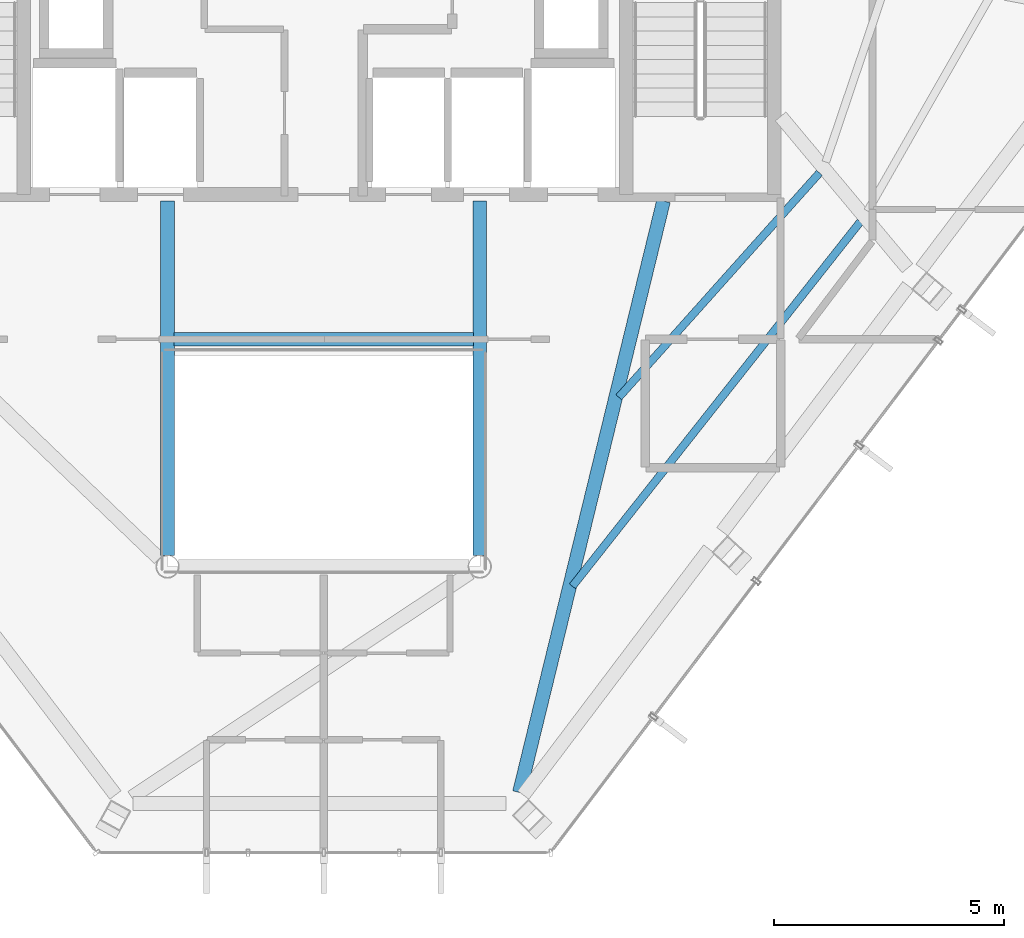
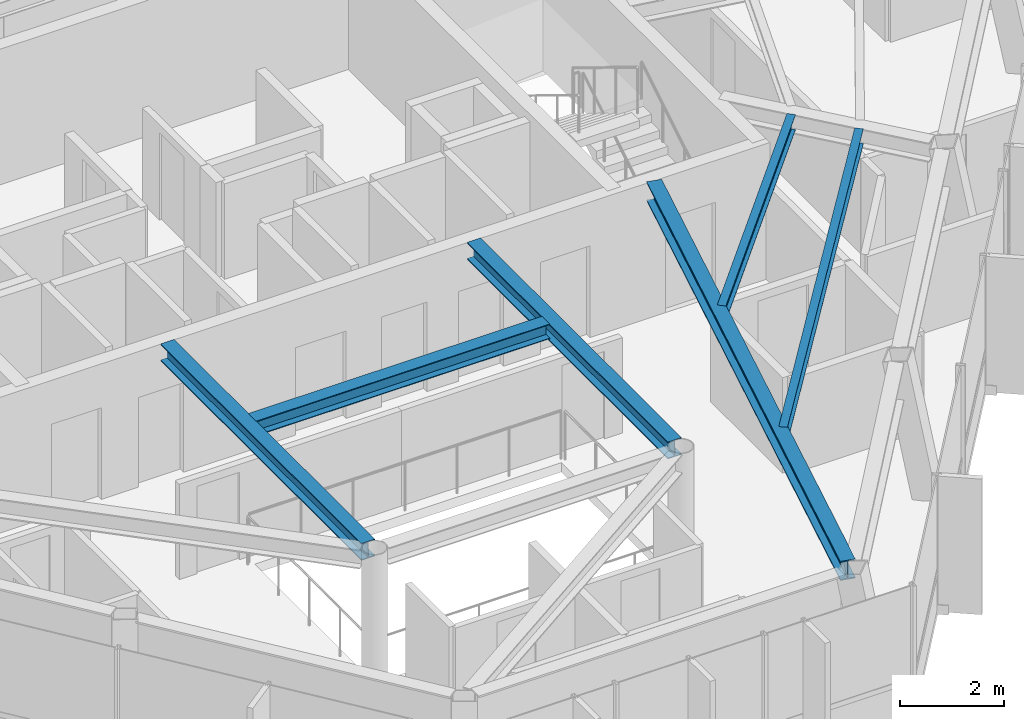
# One storey, part 8 of 26: 6 beams.
"""IFC4 building model written with IfcOpenShell, lengths in metres."""

import ifcopenshell
import ifcopenshell.guid

model = None  # the IFC model being written
_history = None  # IfcOwnerHistory: only IFC2X3 demands one
_inside = {}  # id of a spatial element -> (the spatial element, [elements in it])
_under = {}  # id of a project, library or spatial element -> (it, [spatial elements below it])
_declared = {}  # id of a project -> (the project, [libraries it declares])
_typed = {}  # id of a type object -> (the type object, [elements of that type])
_made_of = {}  # id of a material, layer set ... -> (it, [elements and type objects made of it])


def new_model(schema):
    """Start an empty IFC model of exactly this schema.

    Asked for "IFC4X3", IfcOpenShell would pick the latest addendum, in which some entities
    have other attributes; the version numbers below select the first issue.
    IFC2X3 requires an IfcOwnerHistory on every rooted entity: one is made here for all.
    """
    global model, _history
    if schema == "IFC4X3":
        model = ifcopenshell.file(schema_version=(4, 3, 0, 0))
    else:
        model = ifcopenshell.file(schema=schema)
    _inside.clear()
    _under.clear()
    _declared.clear()
    _typed.clear()
    _made_of.clear()
    _history = None
    if model.schema == "IFC2X3":
        org = make("IfcOrganization", Name="unknown")
        user = make(
            "IfcPersonAndOrganization",
            ThePerson=make("IfcPerson", FamilyName="unknown"),
            TheOrganization=org,
        )
        app = make(
            "IfcApplication",
            ApplicationDeveloper=org,
            Version="unknown",
            ApplicationFullName="unknown",
            ApplicationIdentifier="unknown",
        )
        _history = make(
            "IfcOwnerHistory",
            OwningUser=user,
            OwningApplication=app,
            ChangeAction="ADDED",
            CreationDate=0,
        )
    return model


def make(cls, **values):
    """One entity of the class cls with the attributes given. An attribute that is None is left unset."""
    return model.create_entity(
        cls, **{name: value for name, value in values.items() if value is not None}
    )


def rooted(cls, **values):
    """An entity with a GlobalId (a new one), such as an element, a storey or a relation."""
    return make(cls, GlobalId=ifcopenshell.guid.new(), OwnerHistory=_history, **values)


def si_unit(unit_type, name, prefix=None):
    """IfcSIUnit, for example si_unit("LENGTHUNIT", "METRE", prefix="MILLI")."""
    return make("IfcSIUnit", UnitType=unit_type, Prefix=prefix, Name=name)


def assignment(units):
    """IfcUnitAssignment: the units of a project."""
    return None if units is None else make("IfcUnitAssignment", Units=units)


def point(xyz):
    """IfcCartesianPoint."""
    return None if xyz is None else make("IfcCartesianPoint", Coordinates=xyz)


def direction(xyz):
    """IfcDirection."""
    return None if xyz is None else make("IfcDirection", DirectionRatios=xyz)


def frame(location, z_axis=None, x_axis=None):
    """IfcAxis2Placement3D, a coordinate frame: its origin and axes. An axis left out is left unset."""
    return make(
        "IfcAxis2Placement3D",
        Location=point(location),
        Axis=direction(z_axis),
        RefDirection=direction(x_axis),
    )


def frame_2d(location, x_axis=None):
    """IfcAxis2Placement2D, a coordinate frame in the plane: its origin and x axis."""
    return make(
        "IfcAxis2Placement2D", Location=point(location), RefDirection=direction(x_axis)
    )


def origin():
    """The frame at (0, 0, 0) with its axes left unset."""
    return frame((0.0, 0.0, 0.0))


def origin_2d():
    """The frame at (0, 0) in the plane with its x axis left unset."""
    return frame_2d((0.0, 0.0))


def place(relative_to, where):
    """IfcLocalPlacement: puts the frame where relative to a parent placement (None: the world)."""
    return make(
        "IfcLocalPlacement", PlacementRelTo=relative_to, RelativePlacement=where
    )


def context(
    kind, dimensions, precision=None, world=None, true_north=None, identifier=None
):
    """IfcGeometricRepresentationContext, for example the 3D "Model" context."""
    return make(
        "IfcGeometricRepresentationContext",
        ContextIdentifier=identifier,
        ContextType=kind,
        CoordinateSpaceDimension=dimensions,
        Precision=precision,
        WorldCoordinateSystem=world,
        TrueNorth=true_north,
    )


def subcontext(parent, identifier, kind, view, scale=None):
    """IfcGeometricRepresentationSubContext, for example "Body" below "Model"."""
    return make(
        "IfcGeometricRepresentationSubContext",
        ContextIdentifier=identifier,
        ContextType=kind,
        ParentContext=parent,
        TargetScale=scale,
        TargetView=view,
    )


def project(units=None, contexts=None):
    """IfcProject with its units and contexts."""
    return rooted(
        "IfcProject",
        Name="project",
        RepresentationContexts=contexts,
        UnitsInContext=assignment(units),
    )


def spatial(cls, under=None, at=None, **own):
    """A site, building, storey or space (cls), placed at a placement, below another one or the project."""
    s = rooted(cls, ObjectPlacement=at, **own)
    if under is not None:
        _under.setdefault(under.id(), (under, []))[1].append(s)
    return s


def profile(cls, at=None, kind="AREA", **sizes):
    """A parametric profile (cls). Its sizes go by their IFC names, for example OverallWidth=200.0."""
    return make(cls, ProfileType=kind, Position=at, **sizes)


def i_section(**sizes):
    """IfcIShapeProfileDef."""
    return profile("IfcIShapeProfileDef", **sizes)


def extrude(swept, where, along, depth):
    """IfcExtrudedAreaSolid: the profile swept, set in the frame where, extruded along a direction by depth."""
    return make(
        "IfcExtrudedAreaSolid",
        SweptArea=swept,
        Position=where,
        ExtrudedDirection=direction(along),
        Depth=depth,
    )


def shape(context_of_items, identifier, shape_type, items):
    """IfcShapeRepresentation: the items that make up one representation, for example the "Body"."""
    return make(
        "IfcShapeRepresentation",
        ContextOfItems=context_of_items,
        RepresentationIdentifier=identifier,
        RepresentationType=shape_type,
        Items=items,
    )


def material(Name=None, Category=None):
    """IfcMaterial."""
    return make("IfcMaterial", Name=Name, Category=Category)


def material_profile(
    of_material, cross_section, Name=None, Category=None, Priority=None
):
    """IfcMaterialProfile: a cross section and its material."""
    return make(
        "IfcMaterialProfile",
        Name=Name,
        Material=of_material,
        Profile=cross_section,
        Priority=Priority,
        Category=Category,
    )


def profile_set(profiles, Name=None, composite=None):
    """IfcMaterialProfileSet."""
    return make(
        "IfcMaterialProfileSet",
        Name=Name,
        MaterialProfiles=profiles,
        CompositeProfile=composite,
    )


def made_of(thing, what):
    """Note that an element or type object is made of a material, layer set ...; save() writes the relation."""
    if what is not None:
        _made_of.setdefault(what.id(), (what, []))[1].append(thing)
    return thing


def type_object(cls, material=None, **own):
    """A type object (cls), such as IfcWallType, which elements share."""
    return made_of(rooted(cls, **own), material)


def element(
    cls,
    number,
    at=None,
    inside=None,
    cuts=None,
    type_object=None,
    material=None,
    context=None,
    identifier="Body",
    shape_type=None,
    held_by="IfcProductDefinitionShape",
    body=None,
    shapes=None,
    **own,
):
    """One element of the class cls, such as IfcWall. Its Tag is "e" and its number.

    at: its placement. inside: the storey or other place that contains it. cuts: it is an
    opening in that element (IfcRelVoidsElement). A single representation is given by context,
    identifier, shape_type and body (its items); several are given by shapes. held_by: the class
    of the entity that holds the representations. save() writes the other relations.
    """
    e = rooted(cls, Tag="e%d" % number, ObjectPlacement=at, **own)
    if body is not None:
        shapes = [shape(context, identifier, shape_type, body)]
    if shapes is not None:
        e.Representation = make(held_by, Representations=shapes)
    if inside is not None:
        _inside.setdefault(inside.id(), (inside, []))[1].append(e)
    if cuts is not None:
        rooted(
            "IfcRelVoidsElement", RelatingBuildingElement=cuts, RelatedOpeningElement=e
        )
    if type_object is not None:
        _typed.setdefault(type_object.id(), (type_object, []))[1].append(e)
    return made_of(e, material)


def aggregate(whole, parts):
    """IfcRelAggregates: a whole, such as a stair, and the parts it consists of."""
    return rooted("IfcRelAggregates", RelatingObject=whole, RelatedObjects=parts)


def save(model, path):
    """Write the relations noted so far, then the file.

    IfcRelAggregates (storeys below a building ...), IfcRelContainedInSpatialStructure (elements
    in a storey), IfcRelDefinesByType, IfcRelAssociatesMaterial and IfcRelDeclares: one each for
    every whole, place, type object, material and project.
    """
    for whole, parts in _under.values():
        aggregate(whole, parts)
    for where, things in _inside.values():
        rooted(
            "IfcRelContainedInSpatialStructure",
            RelatedElements=things,
            RelatingStructure=where,
        )
    for kind, things in _typed.values():
        rooted("IfcRelDefinesByType", RelatedObjects=things, RelatingType=kind)
    for what, things in _made_of.values():
        rooted("IfcRelAssociatesMaterial", RelatedObjects=things, RelatingMaterial=what)
    for by, libraries in _declared.values():
        rooted("IfcRelDeclares", RelatingContext=by, RelatedDefinitions=libraries)
    model.write(path)


model = new_model("IFC4")

# Units and contexts
model_context = context("Model", 3, precision=1e-05, world=origin(), true_north=direction((0.0, 1.0)))
body_context = subcontext(model_context, "Body", "Model", "MODEL_VIEW")
ifc_project = project(units=[si_unit("LENGTHUNIT", "METRE"), si_unit("AREAUNIT", "SQUARE_METRE"), si_unit("VOLUMEUNIT", "CUBIC_METRE"), si_unit("PLANEANGLEUNIT", "RADIAN"), si_unit("MASSUNIT", "GRAM", prefix="KILO")], contexts=[model_context])

# Site, building, storey
site_placement = place(None, origin())
site = spatial("IfcSite", under=ifc_project, at=site_placement, CompositionType="ELEMENT")
building_placement = place(site_placement, origin())
building = spatial("IfcBuilding", under=site, at=building_placement, Name="Zarrinselat Tower", CompositionType="ELEMENT")
storey_placement = place(building_placement, frame((0.0, 0.0, 265.199951171875)))
storey = spatial("IfcBuildingStorey", under=building, at=storey_placement, Name="L67", CompositionType="ELEMENT", Elevation=265.199951171875)

# Beams
ifc_material_1 = material(Name="Steel S355J2", Category="steel")
ifc_material_profile_1 = material_profile(ifc_material_1, i_section(OverallWidth=0.300048828125, OverallDepth=0.35009765625, WebThickness=0.010009765625, FlangeThickness=0.017578125, at=origin_2d()), Name="HEA 360")
ifc_profile_set_1 = profile_set([ifc_material_profile_1], Name="Steel S355J2")
beam_type_1 = type_object("IfcBeamType", Name="BM-HEA360", PredefinedType="LINTEL", material=ifc_profile_set_1)
beam_1_placement = place(storey_placement, frame((35.139892578125, 30.14990234375, 3.005126953125), z_axis=(1.0, 0.0, 0.0), x_axis=(0.0, 1.0, 0.0)))
element("IfcBeam", 1, at=beam_1_placement, inside=storey, type_object=beam_type_1, Name="L67 Lift Lobby Ceiling Beam", PredefinedType="LINTEL", context=body_context, shape_type="SweptSolid", body=[
    extrude(i_section(OverallWidth=0.300048828125, OverallDepth=0.35009765625, WebThickness=0.010009765625, FlangeThickness=0.017578125, at=origin_2d()), origin(), (0.0, 0.0, 1.0), 6.52001953125),
])
ifc_material_2 = material(Name="Steel S355J2", Category="steel")
ifc_material_profile_2 = material_profile(ifc_material_2, i_section(OverallWidth=0.300048828125, OverallDepth=0.39990234375, WebThickness=0.013427734375, FlangeThickness=0.02392578125, at=origin_2d()), Name="HEB 400")
ifc_profile_set_2 = profile_set([ifc_material_profile_2], Name="Steel S355J2")
beam_type_2 = type_object("IfcBeamType", Name="BM-HEB400", PredefinedType="BEAM", material=ifc_profile_set_2)
for number, where, z_axis, x_axis, name in (
    (2, (35.0, 25.43994140625, 2.97998046875), (0.0, 1.0, 0.0), (-1.0, 0.0, 0.0), "L67 Atrium Edge Beam W"),
    (3, (41.800048828125, 25.43994140625, 2.97998046875), (0.0, 1.0, 0.0), (-1.0, 0.0, 0.0), "L67 Atrium Edge Beam E"),
):
    element("IfcBeam", number, at=place(storey_placement, frame(where, z_axis=z_axis, x_axis=x_axis)), inside=storey, type_object=beam_type_2, Name=name, PredefinedType="BEAM", context=body_context, shape_type="SweptSolid", body=[
        extrude(i_section(OverallWidth=0.300048828125, OverallDepth=0.39990234375, WebThickness=0.013427734375, FlangeThickness=0.02392578125, at=origin_2d()), origin(), (0.0, 0.0, 1.0), 7.719970703125),
    ])
ifc_material_3 = material(Name="Steel S355J2", Category="steel")
ifc_material_profile_3 = material_profile(ifc_material_3, i_section(OverallWidth=0.300048828125, OverallDepth=0.449951171875, WebThickness=0.013916015625, FlangeThickness=0.02587890625, at=origin_2d()), Name="HEB 450")
ifc_profile_set_3 = profile_set([ifc_material_profile_3], Name="Steel S355J2")
beam_type_3 = type_object("IfcBeamType", Name="BM-HEB450", PredefinedType="BEAM", material=ifc_profile_set_3)
beam_2_placement = place(storey_placement, frame((42.663330078125, 20.28271484375, 2.955078125), z_axis=(0.236666964274, 0.971590833644, 0.0), x_axis=(-0.971590833644, 0.236666964274, 0.0)))
element("IfcBeam", 4, at=beam_2_placement, inside=storey, type_object=beam_type_3, Name="L67 Radial Primary Girder RG11", PredefinedType="BEAM", context=body_context, shape_type="SweptSolid", body=[
    extrude(i_section(OverallWidth=0.300048828125, OverallDepth=0.449951171875, WebThickness=0.013916015625, FlangeThickness=0.02587890625, at=origin_2d()), origin(), (0.0, 0.0, 1.0), 13.253662109375),
])
ifc_material_4 = material(Name="Steel S355J2", Category="steel")
ifc_material_profile_4 = material_profile(ifc_material_4, i_section(OverallWidth=0.169921875, OverallDepth=0.360107421875, WebThickness=0.008056640625, FlangeThickness=0.0126953125, at=origin_2d()), Name="IPE 360")
ifc_profile_set_4 = profile_set([ifc_material_profile_4], Name="Steel S355J2")
beam_type_4 = type_object("IfcBeamType", Name="BM-IPE360", PredefinedType="JOIST", material=ifc_profile_set_4)
beam_3_placement = place(storey_placement, frame((43.81640625, 24.77099609375, 3.0), z_axis=(0.619796873503, 0.784762279672, 0.0), x_axis=(-0.784762279672, 0.619796873503, 0.0)))
element("IfcBeam", 5, at=beam_3_placement, inside=storey, type_object=beam_type_4, Name="L67 Composite Floor Joist 3-1", PredefinedType="JOIST", context=body_context, shape_type="SweptSolid", body=[
    extrude(i_section(OverallWidth=0.169921875, OverallDepth=0.360107421875, WebThickness=0.008056640625, FlangeThickness=0.0126953125, at=origin_2d()), origin(), (0.0, 0.0, 1.0), 10.115478515625),
])
beam_4_placement = place(storey_placement, frame((44.826904296875, 28.885986328125, 3.0), z_axis=(0.666520437834, 0.745486757729, 0.0), x_axis=(-0.745486757729, 0.666520437834, 0.0)))
element("IfcBeam", 6, at=beam_4_placement, inside=storey, type_object=beam_type_4, Name="L67 Composite Floor Joist 3-2", PredefinedType="JOIST", context=body_context, shape_type="SweptSolid", body=[
    extrude(i_section(OverallWidth=0.169921875, OverallDepth=0.360107421875, WebThickness=0.008056640625, FlangeThickness=0.0126953125, at=origin_2d()), origin(), (0.0, 0.0, 1.0), 6.554443359375),
])

save(model, "model.ifc")
